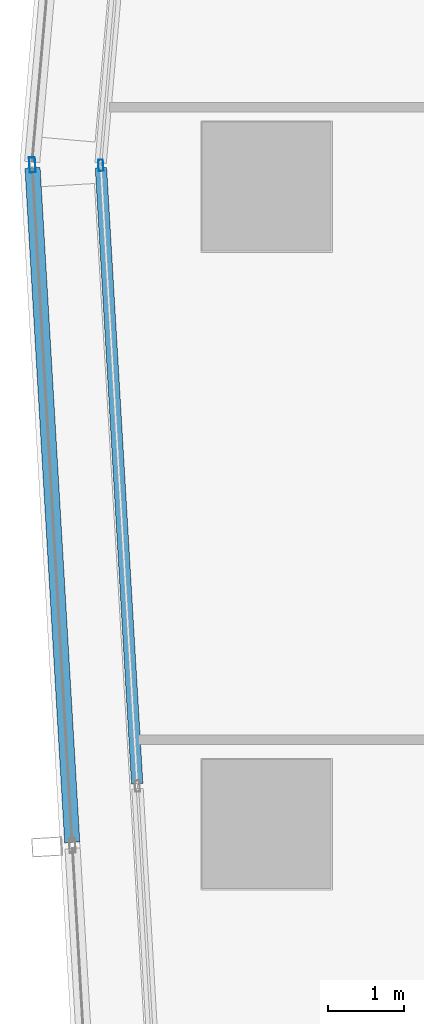
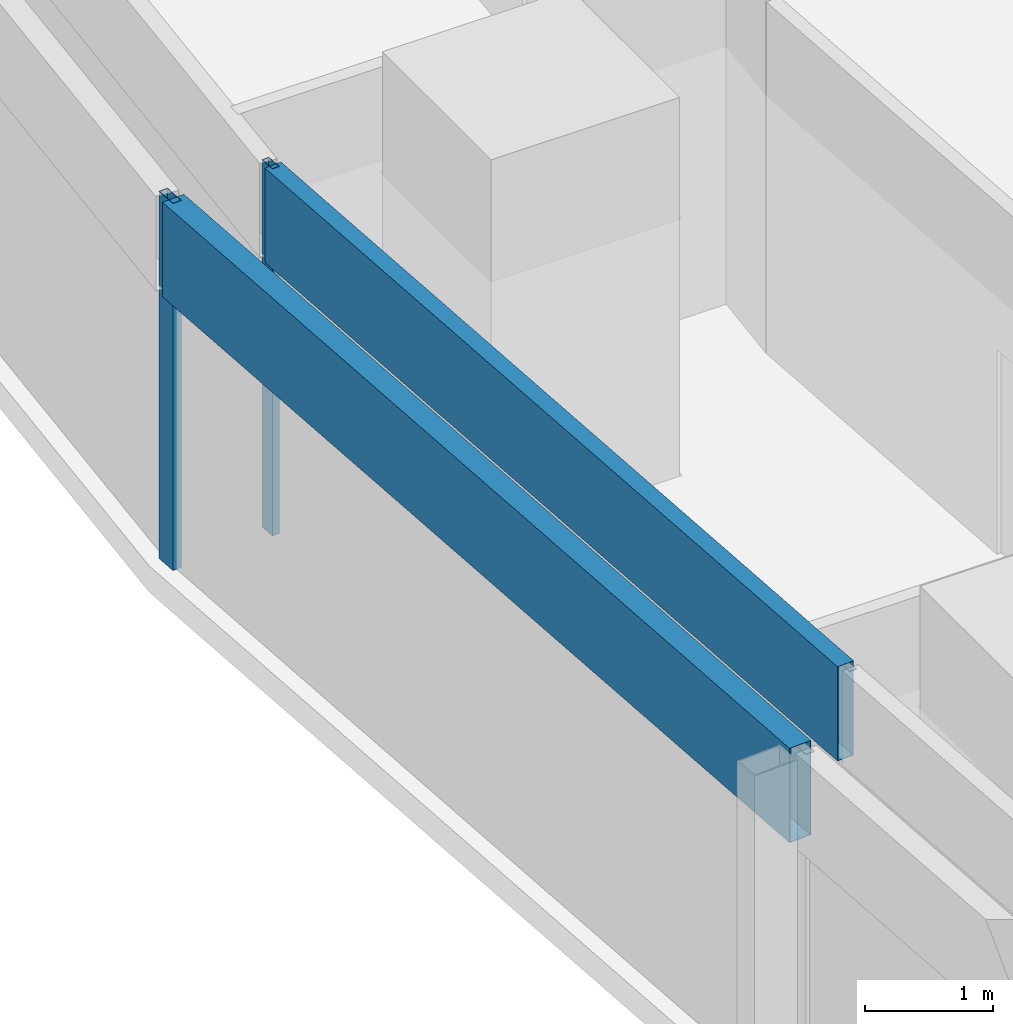
# One storey, part 9 of 39: 4 members, 2 elements without a shape of their own.
"""IFC4 building model written with IfcOpenShell, lengths in metres."""

from ifc_helpers import new_model, si_unit, direction, frame, origin, origin_2d, place, context, subcontext, project, spatial, hollow_rectangle, extrude, material, material_profile, profile_set, type_object, element, aggregate, save


model = new_model("IFC4")

# Units and contexts
model_context = context("Model", 3, precision=1e-05, world=origin(), true_north=direction((0.0, 1.0)))
body_context = subcontext(model_context, "Body", "Model", "MODEL_VIEW")
ifc_project = project(units=[si_unit("LENGTHUNIT", "METRE"), si_unit("AREAUNIT", "SQUARE_METRE"), si_unit("VOLUMEUNIT", "CUBIC_METRE"), si_unit("PLANEANGLEUNIT", "RADIAN"), si_unit("MASSUNIT", "GRAM", prefix="KILO")], contexts=[model_context])

# Site, building, storey
site_placement = place(None, origin())
site = spatial("IfcSite", under=ifc_project, at=site_placement, CompositionType="ELEMENT")
building_placement = place(site_placement, origin())
building = spatial("IfcBuilding", under=site, at=building_placement, Name="Rekha Terrace Tower", CompositionType="ELEMENT")
storey_placement = place(building_placement, frame((0.0, 0.0, 180.199951171875)))
storey = spatial("IfcBuildingStorey", under=building, at=storey_placement, Name="L45", CompositionType="ELEMENT", Elevation=180.199951171875)

# Curtain wall, members
ifc_material_1 = material(Name="Aluminium framing", Category="aluminium")
curtain_wall_type_1 = type_object("IfcCurtainWallType", Name="CW1 double skin inner glazing", PredefinedType="USERDEFINED", material=ifc_material_1)
curtain_wall_1_placement = place(storey_placement, origin())
curtain_wall_1 = element("IfcCurtainWall", 1, at=curtain_wall_1_placement, inside=storey, type_object=curtain_wall_type_1, Name="CW1 double skin inner glazing", ObjectType="DOUBLE SKIN INNER GLAZING", PredefinedType="USERDEFINED")
ifc_material_2 = material(Name="Aluminium mullion section", Category="aluminium")
ifc_material_profile_1 = material_profile(ifc_material_2, hollow_rectangle(XDim=0.06494140625, YDim=0.14990234375, WallThickness=0.00390625, at=origin_2d()), Name="AL RHS 65x150")
ifc_profile_set_1 = profile_set([ifc_material_profile_1], Name="Aluminium mullion section")
member_type_1 = type_object("IfcMemberType", Name="CW1 mullion RHS 65 x 150", PredefinedType="MULLION", material=ifc_profile_set_1)
member_1_placement = place(storey_placement, frame((6.214599609375, 42.281982421875, 0.0), z_axis=(0.0, 0.0, 1.0), x_axis=(0.998271839267, 0.058765082551, 0.0)))
member_1 = element("IfcMember", 2, at=member_1_placement, type_object=member_type_1, Name="CW1 mullion 1", PredefinedType="MULLION", context=body_context, shape_type="SweptSolid", body=[
    extrude(hollow_rectangle(XDim=0.06494140625, YDim=0.14990234375, WallThickness=0.00390625, at=origin_2d()), origin(), (0.0, 0.0, 1.0), 3.5),
])
ifc_material_3 = material(Name="Insulated aluminium spandrel box", Category="aluminium")
ifc_material_profile_2 = material_profile(ifc_material_3, hollow_rectangle(XDim=0.14990234375, YDim=0.89990234375, WallThickness=0.0029296875, at=origin_2d()), Name="AL SPANDREL BOX 150x900")
ifc_profile_set_2 = profile_set([ifc_material_profile_2], Name="Insulated aluminium spandrel box")
member_type_2 = type_object("IfcMemberType", Name="CW1 spandrel transom 150 x 900", PredefinedType="USERDEFINED", material=ifc_profile_set_2)
member_2_placement = place(storey_placement, frame((6.216552734375, 42.24951171875, 3.050048828125), z_axis=(0.058771314685, -0.998271472381, 0.0), x_axis=(0.998271472381, 0.058771314685, 0.0)))
member_2 = element("IfcMember", 3, at=member_2_placement, type_object=member_type_2, Name="CW1 spandrel transom 1", ObjectType="TRANSOM", PredefinedType="USERDEFINED", context=body_context, shape_type="SweptSolid", body=[
    extrude(hollow_rectangle(XDim=0.14990234375, YDim=0.89990234375, WallThickness=0.0029296875, at=origin_2d()), origin(), (0.0, 0.0, 1.0), 8.129638671875),
])
aggregate(curtain_wall_1, [member_1, member_2])

curtain_wall_type_2 = type_object("IfcCurtainWallType", Name="CW2 double skin outer glazing", PredefinedType="USERDEFINED", material=ifc_material_1)
curtain_wall_2_placement = place(storey_placement, origin())
curtain_wall_2 = element("IfcCurtainWall", 4, at=curtain_wall_2_placement, inside=storey, type_object=curtain_wall_type_2, Name="CW2 double skin outer glazing", ObjectType="DOUBLE SKIN OUTER GLAZING", PredefinedType="USERDEFINED")
ifc_material_profile_3 = material_profile(ifc_material_2, hollow_rectangle(XDim=0.080078125, YDim=0.199951171875, WallThickness=0.00390625, at=origin_2d()), Name="AL RHS 80x200")
ifc_profile_set_3 = profile_set([ifc_material_profile_3], Name="Aluminium mullion section")
member_type_3 = type_object("IfcMemberType", Name="CW2 mullion RHS 80 x 200", PredefinedType="MULLION", material=ifc_profile_set_3)
member_3_placement = place(storey_placement, frame((5.312744140625, 42.287841796875, 0.0), z_axis=(0.0, 0.0, 1.0), x_axis=(0.99827183927, 0.058765082499, 0.0)))
member_3 = element("IfcMember", 5, at=member_3_placement, type_object=member_type_3, Name="CW2 mullion 1", PredefinedType="MULLION", context=body_context, shape_type="SweptSolid", body=[
    extrude(hollow_rectangle(XDim=0.080078125, YDim=0.199951171875, WallThickness=0.00390625, at=origin_2d()), origin(), (0.0, 0.0, 1.0), 3.5),
])
ifc_material_profile_4 = material_profile(ifc_material_3, hollow_rectangle(XDim=0.199951171875, YDim=0.89990234375, WallThickness=0.0029296875, at=origin_2d()), Name="AL SPANDREL BOX 200x900")
ifc_profile_set_4 = profile_set([ifc_material_profile_4], Name="Insulated aluminium spandrel box")
member_type_4 = type_object("IfcMemberType", Name="CW2 spandrel transom 200 x 900", PredefinedType="USERDEFINED", material=ifc_profile_set_4)
member_4_placement = place(storey_placement, frame((5.315185546875, 42.247802734375, 3.050048828125), z_axis=(0.058762207171, -0.998272008527, 0.0), x_axis=(0.998272008527, 0.058762207171, 0.0)))
member_4 = element("IfcMember", 6, at=member_4_placement, type_object=member_type_4, Name="CW2 spandrel transom 1", ObjectType="TRANSOM", PredefinedType="USERDEFINED", context=body_context, shape_type="SweptSolid", body=[
    extrude(hollow_rectangle(XDim=0.199951171875, YDim=0.89990234375, WallThickness=0.0029296875, at=origin_2d()), origin(), (0.0, 0.0, 1.0), 8.903564453125),
])
aggregate(curtain_wall_2, [member_3, member_4])

save(model, "model.ifc")
